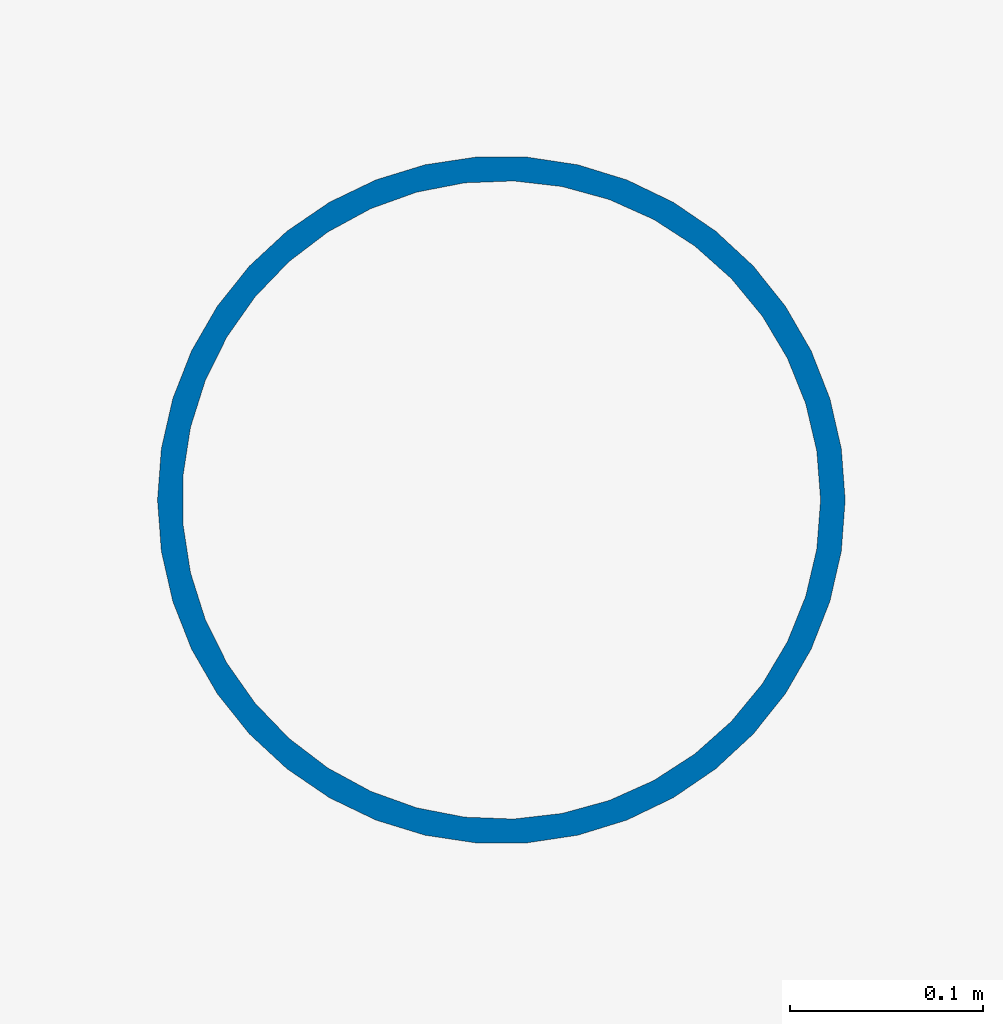
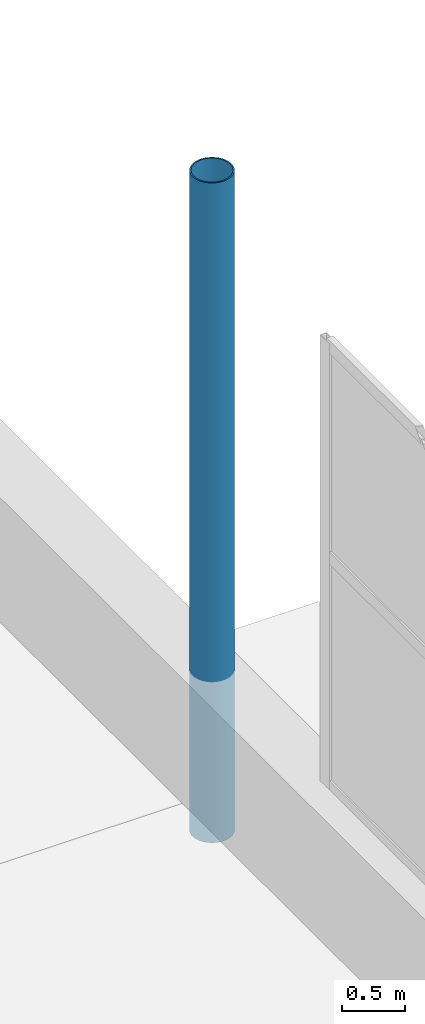
# One storey, part 47 of 139: 1 column.
"""IFC4 building model written with IfcOpenShell, lengths in metres."""

from ifc_helpers import new_model, si_unit, direction, frame, origin, origin_2d, place, context, subcontext, project, spatial, hollow_circle, extrude, material, material_profile, profile_set, type_object, element, save


model = new_model("IFC4")

# Units and contexts
model_context = context("Model", 3, precision=1e-05, world=origin(), true_north=direction((0.0, 1.0)))
body_context = subcontext(model_context, "Body", "Model", "MODEL_VIEW")
ifc_project = project(units=[si_unit("LENGTHUNIT", "METRE"), si_unit("AREAUNIT", "SQUARE_METRE"), si_unit("VOLUMEUNIT", "CUBIC_METRE"), si_unit("PLANEANGLEUNIT", "RADIAN"), si_unit("MASSUNIT", "GRAM", prefix="KILO")], contexts=[model_context])

# Site, building, storey
site_placement = place(None, origin())
site = spatial("IfcSite", under=ifc_project, at=site_placement, CompositionType="ELEMENT")
building_placement = place(site_placement, origin())
building = spatial("IfcBuilding", under=site, at=building_placement, Name="Kazenagashi Tramway Depot", CompositionType="ELEMENT")
storey_placement = place(building_placement, origin())
storey = spatial("IfcBuildingStorey", under=building, at=storey_placement, Name="L01", CompositionType="ELEMENT", Elevation=0.0)

# Column
ifc_material = material(Name="Steel STK490", Category="steel")
ifc_material_profile = material_profile(ifc_material, hollow_circle(Radius=0.1778, WallThickness=0.0127, at=origin_2d()), Name="CHS-355.6x12.7")
ifc_profile_set = profile_set([ifc_material_profile], Name="Steel STK490")
column_type = type_object("IfcColumnType", Name="C-13", PredefinedType="COLUMN", material=ifc_profile_set)
column_placement = place(storey_placement, frame((196.0, 100.0, -0.35), z_axis=(0.0, 0.0, 1.0), x_axis=(1.0, 0.0, 0.0)))
element("IfcColumn", 1, at=column_placement, inside=storey, type_object=column_type, Name="Column C-13 COL-0111", PredefinedType="COLUMN", context=body_context, shape_type="SweptSolid", body=[
    extrude(hollow_circle(Radius=0.1778, WallThickness=0.0127, at=origin_2d()), origin(), (0.0, 0.0, 1.0), 6.35),
])

save(model, "model.ifc")
